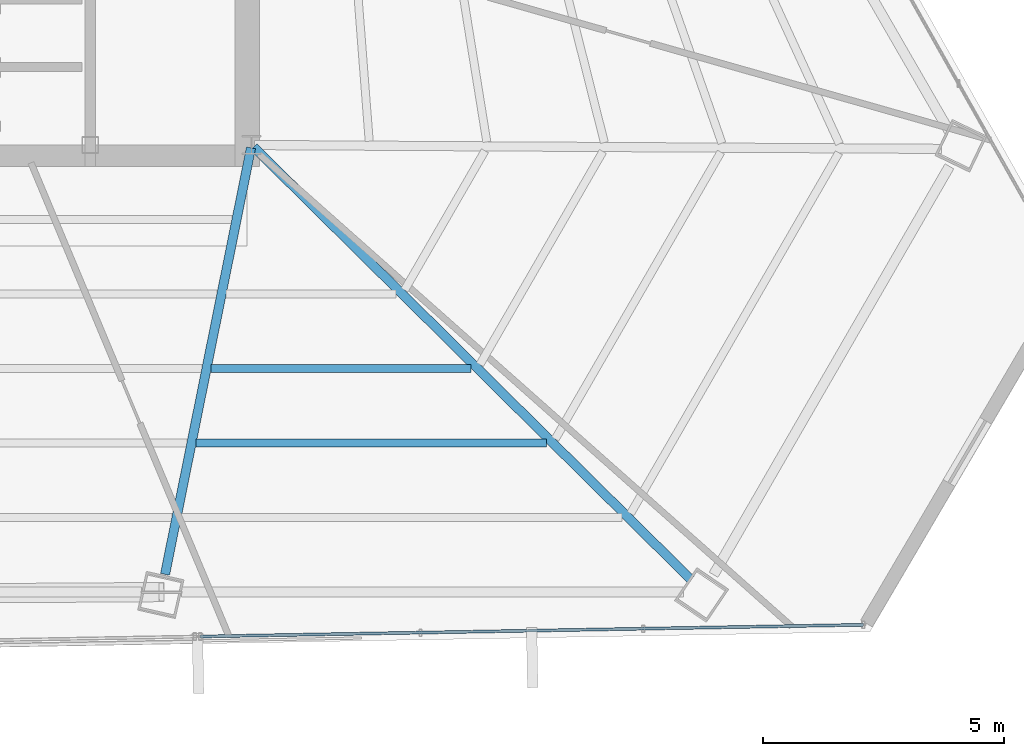
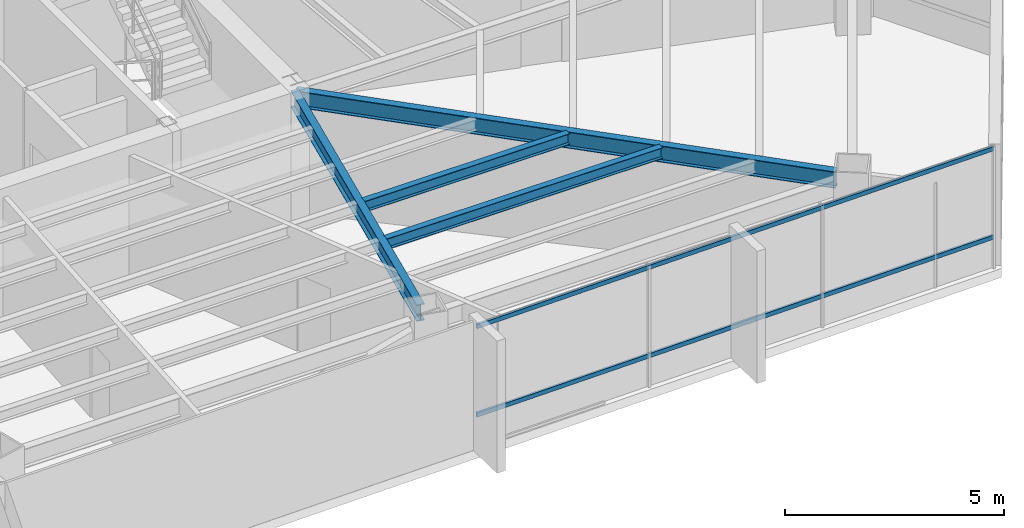
# One storey, part 19 of 42: 4 beams, 2 members, 1 element without a shape of its own.
"""IFC4 building model written with IfcOpenShell, lengths in metres."""

from ifc_helpers import new_model, si_unit, direction, frame, origin, origin_2d, place, context, subcontext, project, spatial, hollow_rectangle, i_section, extrude, source, transform, mapped, material, material_profile, profile_set, type_object, type_shapes, element, aggregate, save


model = new_model("IFC4")

# Units and contexts
model_context = context("Model", 3, precision=1e-05, world=origin(), true_north=direction((0.0, 1.0)))
body_context = subcontext(model_context, "Body", "Model", "MODEL_VIEW")
ifc_project = project(units=[si_unit("LENGTHUNIT", "METRE"), si_unit("AREAUNIT", "SQUARE_METRE"), si_unit("VOLUMEUNIT", "CUBIC_METRE"), si_unit("PLANEANGLEUNIT", "RADIAN"), si_unit("MASSUNIT", "GRAM", prefix="KILO")], contexts=[model_context])

# Site, building, storey
site_placement = place(None, origin())
site = spatial("IfcSite", under=ifc_project, at=site_placement, CompositionType="ELEMENT")
building_placement = place(site_placement, origin())
building = spatial("IfcBuilding", under=site, at=building_placement, Name="Caelisora Broadcast Tower", CompositionType="ELEMENT")
storey_placement = place(building_placement, frame((0.0, 0.0, 191.35009765625)))
storey = spatial("IfcBuildingStorey", under=building, at=storey_placement, Name="L50", CompositionType="ELEMENT", Elevation=191.35009765625)

# Beams
ifc_material_1 = material(Name="Steel Grade 350 (AS/NZS 3679.1)", Category="steel")
ifc_material_profile_1 = material_profile(ifc_material_1, i_section(OverallWidth=0.19091796875, OverallDepth=0.46044921875, WebThickness=0.010009765625, FlangeThickness=0.01611328125, at=origin_2d()), Name="Steel Grade 350 (AS/NZS 3679.1)")
ifc_profile_set_1 = profile_set([ifc_material_profile_1], Name="Steel Grade 350 (AS/NZS 3679.1)")
beam_type_1 = type_object("IfcBeamType", Name="PG06", PredefinedType="BEAM", material=ifc_profile_set_1)
shared_shape_1 = source(origin(), body_context, "Body", "SweptSolid", [
    extrude(i_section(OverallWidth=0.19091796875, OverallDepth=0.46044921875, WebThickness=0.010009765625, FlangeThickness=0.01611328125, at=origin_2d()), origin(), (0.0, 0.0, 1.0), 12.766845703125),
])
beam_1_placement = place(storey_placement, frame((45.542724609375, 17.35791015625, 3.169677734375), z_axis=(0.710978116492, -0.703214133725, 0.0), x_axis=(0.703214133725, 0.710978116492, 0.0)))
element("IfcBeam", 1, at=beam_1_placement, inside=storey, type_object=beam_type_1, Name="L50 beam PG06", PredefinedType="BEAM", context=body_context, shape_type="MappedRepresentation", body=[
    mapped(shared_shape_1, transform((0.0, 0.0, 0.0), scale=1.0)),
])
shared_shape_2 = source(origin(), body_context, "Body", "SweptSolid", [
    extrude(i_section(OverallWidth=0.19091796875, OverallDepth=0.46044921875, WebThickness=0.010009765625, FlangeThickness=0.01611328125, at=origin_2d()), origin(), (0.0, 0.0, 1.0), 9.034912109375),
])
type_shapes(beam_type_1, [shared_shape_1, shared_shape_2])
beam_2_placement = place(storey_placement, frame((45.488037109375, 17.34130859375, 3.169677734375), z_axis=(-0.197529379552, -0.980296967359, 0.0), x_axis=(0.980296967359, -0.197529379552, 0.0)))
element("IfcBeam", 2, at=beam_2_placement, inside=storey, type_object=beam_type_1, Name="L50 beam PG06", PredefinedType="BEAM", context=body_context, shape_type="MappedRepresentation", body=[
    mapped(shared_shape_2, transform((0.0, 0.0, 0.0), scale=1.0)),
])
ifc_material_profile_2 = material_profile(ifc_material_1, i_section(OverallWidth=0.166015625, OverallDepth=0.30712890625, WebThickness=0.006591796875, FlangeThickness=0.01171875, at=origin_2d()), Name="Steel Grade 350 (AS/NZS 3679.1)")
ifc_profile_set_2 = profile_set([ifc_material_profile_2], Name="Steel Grade 350 (AS/NZS 3679.1)")
beam_type_2 = type_object("IfcBeamType", Name="SB03", PredefinedType="JOIST", material=ifc_profile_set_2)
shared_shape_3 = source(origin(), body_context, "Body", "SweptSolid", [
    extrude(i_section(OverallWidth=0.166015625, OverallDepth=0.30712890625, WebThickness=0.006591796875, FlangeThickness=0.01171875, at=origin_2d()), origin(), (0.0, 0.0, 1.0), 5.401611328125),
])
beam_3_placement = place(storey_placement, frame((44.658935546875, 12.7578125, 3.246337890625), z_axis=(1.0, 0.0, 0.0), x_axis=(0.0, 1.0, 0.0)))
element("IfcBeam", 3, at=beam_3_placement, inside=storey, type_object=beam_type_2, Name="L50 beam SB03", PredefinedType="JOIST", context=body_context, shape_type="MappedRepresentation", body=[
    mapped(shared_shape_3, transform((0.0, 0.0, 0.0), scale=1.0)),
])
shared_shape_4 = source(origin(), body_context, "Body", "SweptSolid", [
    extrude(i_section(OverallWidth=0.166015625, OverallDepth=0.30712890625, WebThickness=0.006591796875, FlangeThickness=0.01171875, at=origin_2d()), origin(), (0.0, 0.0, 1.0), 7.27783203125),
])
type_shapes(beam_type_2, [shared_shape_3, shared_shape_4])
beam_4_placement = place(storey_placement, frame((44.34716796875, 11.21044921875, 3.246337890625), z_axis=(1.0, 0.0, 0.0), x_axis=(0.0, 1.0, 0.0)))
element("IfcBeam", 4, at=beam_4_placement, inside=storey, type_object=beam_type_2, Name="L50 beam SB03", PredefinedType="JOIST", context=body_context, shape_type="MappedRepresentation", body=[
    mapped(shared_shape_4, transform((0.0, 0.0, 0.0), scale=1.0)),
])

# Curtain wall, members
ifc_material_2 = material(Name="Unitised Aluminium and Low-E Glass Curtain Wall", Category="glass")
curtain_wall_type = type_object("IfcCurtainWallType", Name="CW-Z4", PredefinedType="NOTDEFINED", material=ifc_material_2)
curtain_wall_placement = place(storey_placement, origin())
curtain_wall = element("IfcCurtainWall", 5, at=curtain_wall_placement, inside=storey, type_object=curtain_wall_type, Name="L50 curtain wall CW-Z4", PredefinedType="NOTDEFINED")
ifc_material_3 = material(Name="Aluminium 6063-T6 Anodised Terracotta Bronze", Category="aluminium")
ifc_material_profile_3 = material_profile(ifc_material_3, hollow_rectangle(XDim=0.06005859375, YDim=0.1201171875, WallThickness=0.0029296875, at=origin_2d()), Name="Aluminium 6063-T6 Anodised Terracotta Bronze")
ifc_profile_set_3 = profile_set([ifc_material_profile_3], Name="Aluminium 6063-T6 Anodised Terracotta Bronze")
member_type = type_object("IfcMemberType", Name="CWT-03", PredefinedType="USERDEFINED", material=ifc_profile_set_3)
shared_shape_5 = source(origin(), body_context, "Body", "SweptSolid", [
    extrude(hollow_rectangle(XDim=0.06005859375, YDim=0.1201171875, WallThickness=0.0029296875, at=origin_2d()), origin(), (0.0, 0.0, 1.0), 13.775390625),
])
type_shapes(member_type, [shared_shape_5])
member_1_placement = place(storey_placement, frame((58.2060546875, 7.43603515625, 0.849853515625), z_axis=(-0.999844189047, -0.017652128198, 0.0), x_axis=(0.017652128198, -0.999844189047, 0.0)))
member_1 = element("IfcMember", 6, at=member_1_placement, type_object=member_type, Name="L50-CW-B05 transom #1", ObjectType="TRANSOM", PredefinedType="USERDEFINED", context=body_context, shape_type="MappedRepresentation", body=[
    mapped(shared_shape_5, transform((0.0, 0.0, 0.0), scale=1.0)),
])
member_2_placement = place(storey_placement, frame((58.2060546875, 7.43603515625, 3.31982421875), z_axis=(-0.999844189047, -0.017652128198, 0.0), x_axis=(0.017652128198, -0.999844189047, 0.0)))
member_2 = element("IfcMember", 7, at=member_2_placement, type_object=member_type, Name="L50-CW-B05 transom #2", ObjectType="TRANSOM", PredefinedType="USERDEFINED", context=body_context, shape_type="MappedRepresentation", body=[
    mapped(shared_shape_5, transform((0.0, 0.0, 0.0), scale=1.0)),
])
aggregate(curtain_wall, [member_1, member_2])

save(model, "model.ifc")
